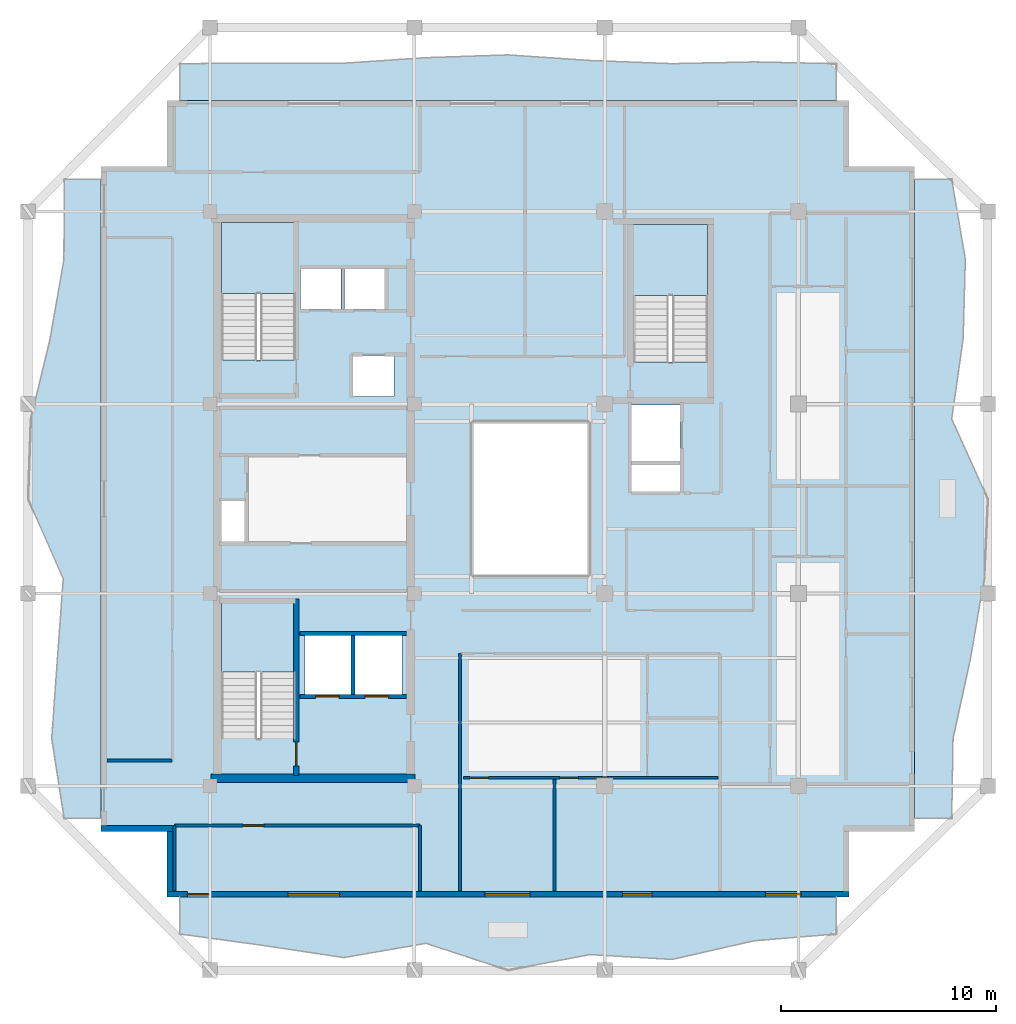
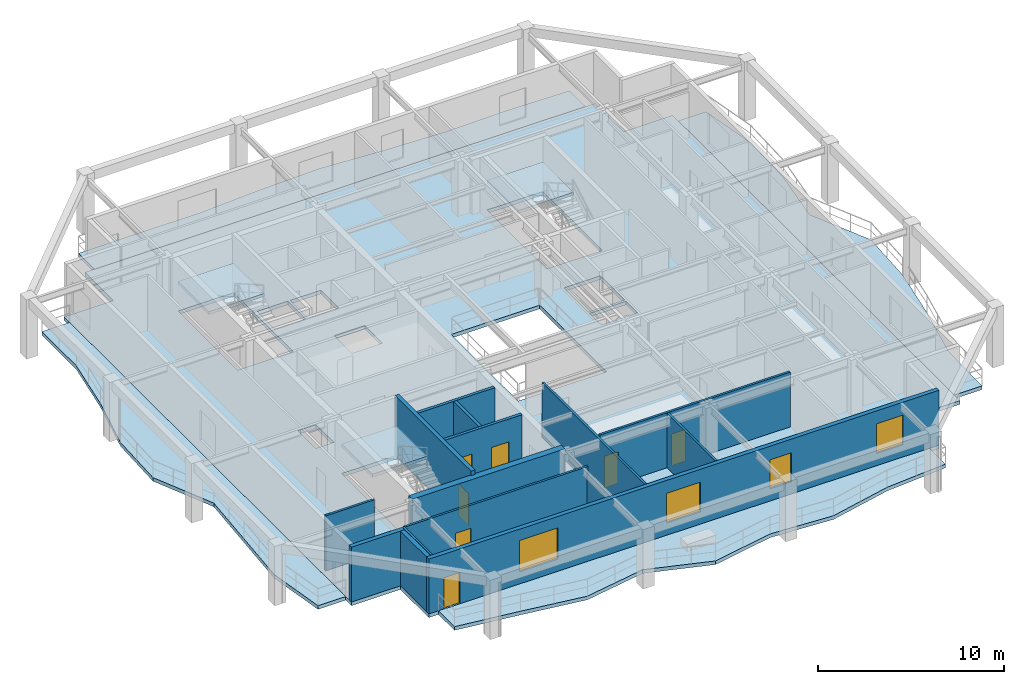
# One storey, part 2 of 10: 15 walls, 8 slabs, 7 doors, 4 windows, 11 openings, 3 elements without a shape of their own.
"""IFC4 building model written with IfcOpenShell, lengths in metres."""

from ifc_helpers import new_model, si_unit, direction, frame, frame_2d, origin, place, context, subcontext, project, spatial, polyline, rectangle, outline, extrude, material, layer, layer_set, type_object, element, fill, aggregate, save


model = new_model("IFC4")

# Units and contexts
model_context = context("Model", 3, precision=1e-05, world=origin(), true_north=direction((0.0, 1.0)))
body_context = subcontext(model_context, "Body", "Model", "MODEL_VIEW")
ifc_project = project(units=[si_unit("LENGTHUNIT", "METRE"), si_unit("AREAUNIT", "SQUARE_METRE"), si_unit("VOLUMEUNIT", "CUBIC_METRE"), si_unit("PLANEANGLEUNIT", "RADIAN"), si_unit("MASSUNIT", "GRAM", prefix="KILO")], contexts=[model_context])

# Site, building, storey
site_placement = place(None, origin())
site = spatial("IfcSite", under=ifc_project, at=site_placement, CompositionType="ELEMENT")
building_placement = place(site_placement, origin())
building = spatial("IfcBuilding", under=site, at=building_placement, Name="Kundavana Baori Tower", CompositionType="ELEMENT")
storey_placement = place(building_placement, frame((0.0, 0.0, 303.800048828125)))
storey = spatial("IfcBuildingStorey", under=building, at=storey_placement, Name="L75", CompositionType="ELEMENT", Elevation=303.800048828125)

# Slab
ifc_material_1 = material(Name="Concrete C40/50", Category="concrete")
ifc_layer_1 = layer(ifc_material_1, 0.239990234375, Name="SLB-FLR-240")
ifc_layer_set_1 = layer_set([ifc_layer_1], Name="Concrete C40/50")
slab_type_1 = type_object("IfcSlabType", Name="SLB-FLR-240", PredefinedType="FLOOR", material=ifc_layer_set_1)
slab_1_placement = place(storey_placement, frame((0.0, 0.0, -0.239990234375)))
element("IfcSlab", 1, at=slab_1_placement, inside=storey, type_object=slab_type_1, Name="L75 Structural Floor Slab", PredefinedType="FLOOR", context=body_context, shape_type="SweptSolid", body=[
    extrude(outline(polyline([(13.449951171875, 10.10009765625), (45.14990234375, 10.10009765625), (45.14990234375, 13.14990234375), (48.199951171875, 13.14990234375), (48.199951171875, 44.050048828125), (45.14990234375, 44.050048828125), (45.14990234375, 47.10009765625), (13.449951171875, 47.10009765625), (13.449951171875, 44.050048828125), (10.39990234375, 44.050048828125), (10.39990234375, 13.14990234375), (13.449951171875, 13.14990234375), (13.449951171875, 10.10009765625)]), holes=[polyline([(19.43994140625, 17.4619140625), (19.43994140625, 23.85009765625), (15.97998046875, 23.85009765625), (15.97998046875, 17.4619140625), (19.43994140625, 17.4619140625)]), polyline([(19.43994140625, 35.06201171875), (19.43994140625, 41.449951171875), (15.97998046875, 41.449951171875), (15.97998046875, 35.06201171875), (19.43994140625, 35.06201171875)]), polyline([(38.580078125, 34.9619140625), (38.580078125, 41.35009765625), (35.1201171875, 41.35009765625), (35.1201171875, 34.9619140625), (38.580078125, 34.9619140625)]), polyline([(19.64990234375, 37.39990234375), (21.550048828125, 37.39990234375), (21.550048828125, 39.300048828125), (19.64990234375, 39.300048828125), (19.64990234375, 37.39990234375)]), polyline([(21.699951171875, 37.39990234375), (23.60009765625, 37.39990234375), (23.60009765625, 39.300048828125), (21.699951171875, 39.300048828125), (21.699951171875, 37.39990234375)]), polyline([(22.10009765625, 33.35009765625), (24.0, 33.35009765625), (24.0, 35.25), (22.10009765625, 35.25), (22.10009765625, 33.35009765625)]), polyline([(19.8798828125, 19.5), (22.02001953125, 19.5), (22.02001953125, 22.25), (19.8798828125, 22.25), (19.8798828125, 19.5)]), polyline([(22.179931640625, 19.5), (24.3798828125, 19.5), (24.3798828125, 22.25), (22.179931640625, 22.25), (22.179931640625, 19.5)]), polyline([(35.050048828125, 30.35009765625), (37.300048828125, 30.35009765625), (37.300048828125, 32.949951171875), (35.050048828125, 32.949951171875), (35.050048828125, 30.35009765625)]), polyline([(15.949951171875, 26.60009765625), (17.080078125, 26.60009765625), (17.080078125, 28.5), (15.949951171875, 28.5), (15.949951171875, 26.60009765625)]), polyline([(35.050048828125, 28.949951171875), (37.300048828125, 28.949951171875), (37.300048828125, 30.199951171875), (35.050048828125, 30.199951171875), (35.050048828125, 28.949951171875)]), polyline([(27.60009765625, 25.0), (33.10009765625, 25.0), (33.10009765625, 32.199951171875), (27.60009765625, 32.199951171875), (27.60009765625, 25.0)])]), origin(), (0.0, 0.0, 1.0), 0.239990234375),
])

# Stair, slab
ifc_material_2 = material(Name="Concrete C40/50", Category="concrete")
stair_type = type_object("IfcStairType", Name="STR-DOG-1650", PredefinedType="HALF_TURN_STAIR", material=ifc_material_2)
stair_1_placement = place(storey_placement, origin())
stair_1 = element("IfcStair", 2, at=stair_1_placement, inside=storey, type_object=stair_type, Name="L75 Protected Exit Stair ST1", PredefinedType="HALF_TURN_STAIR")
ifc_material_3 = material(Name="Concrete C40/50", Category="concrete")
ifc_layer_2 = layer(ifc_material_3, 0.199951171875, Name="SLB-LND-200")
ifc_layer_set_2 = layer_set([ifc_layer_2], Name="Concrete C40/50")
slab_type_2 = type_object("IfcSlabType", Name="SLB-LND-200", PredefinedType="LANDING", material=ifc_layer_set_2)
slab_2_placement = place(storey_placement, frame((0.0, 0.0, 1.75)))
slab_2 = element("IfcSlab", 3, at=slab_2_placement, type_object=slab_type_2, Name="ST1 landing 1", PredefinedType="LANDING", context=body_context, shape_type="SweptSolid", body=[
    extrude(outline(polyline([(19.43994140625, 20.550048828125), (19.43994140625, 23.85009765625), (15.97998046875, 23.85009765625), (15.97998046875, 20.550048828125), (19.43994140625, 20.550048828125)])), origin(), (0.0, 0.0, 1.0), 0.199951171875),
])
aggregate(stair_1, [slab_2])

stair_2_placement = place(storey_placement, origin())
stair_2 = element("IfcStair", 4, at=stair_2_placement, inside=storey, type_object=stair_type, Name="L75 Protected Exit Stair ST2", PredefinedType="HALF_TURN_STAIR")
slab_3_placement = place(storey_placement, frame((0.0, 0.0, 1.75)))
slab_3 = element("IfcSlab", 5, at=slab_3_placement, type_object=slab_type_2, Name="ST2 landing 1", PredefinedType="LANDING", context=body_context, shape_type="SweptSolid", body=[
    extrude(outline(polyline([(19.43994140625, 38.14990234375), (19.43994140625, 41.449951171875), (15.97998046875, 41.449951171875), (15.97998046875, 38.14990234375), (19.43994140625, 38.14990234375)])), origin(), (0.0, 0.0, 1.0), 0.199951171875),
])
aggregate(stair_2, [slab_3])

stair_3_placement = place(storey_placement, origin())
stair_3 = element("IfcStair", 6, at=stair_3_placement, inside=storey, type_object=stair_type, Name="L75 Protected Exit Stair ST3", PredefinedType="HALF_TURN_STAIR")
slab_4_placement = place(storey_placement, frame((0.0, 0.0, 1.75)))
slab_4 = element("IfcSlab", 7, at=slab_4_placement, type_object=slab_type_2, Name="ST3 landing 1", PredefinedType="LANDING", context=body_context, shape_type="SweptSolid", body=[
    extrude(outline(polyline([(38.580078125, 38.050048828125), (38.580078125, 41.35009765625), (35.1201171875, 41.35009765625), (35.1201171875, 38.050048828125), (38.580078125, 38.050048828125)])), origin(), (0.0, 0.0, 1.0), 0.199951171875),
])
aggregate(stair_3, [slab_4])

# Slabs
ifc_material_4 = material(Name="Concrete C40/50", Category="concrete")
ifc_layer_3 = layer(ifc_material_4, 0.239990234375, Name="SLB-LOG-240")
ifc_layer_set_3 = layer_set([ifc_layer_3], Name="Concrete C40/50")
slab_type_3 = type_object("IfcSlabType", Name="SLB-LOG-240", PredefinedType="FLOOR", material=ifc_layer_set_3)
slab_5_placement = place(storey_placement, frame((0.0, 0.0, -0.239990234375)))
element("IfcSlab", 8, at=slab_5_placement, inside=storey, type_object=slab_type_3, Name="L75 Planted Loggia Balcony Slab S", PredefinedType="FLOOR", context=body_context, shape_type="SweptSolid", body=[
    extrude(outline(polyline([(14.050048828125, 10.10009765625), (44.550048828125, 10.10009765625), (44.550048828125, 8.3798828125), (40.737060546875, 8.06298828125), (36.925048828125, 7.197021484375), (33.112060546875, 7.423095703125), (29.300048828125, 6.699951171875), (25.487060546875, 7.945068359375), (21.675048828125, 7.283935546875), (17.863037109375, 7.85791015625), (14.050048828125, 8.3798828125), (14.050048828125, 10.10009765625)])), origin(), (0.0, 0.0, 1.0), 0.239990234375),
])
slab_6_placement = place(storey_placement, frame((0.0, 0.0, -0.239990234375)))
element("IfcSlab", 9, at=slab_6_placement, inside=storey, type_object=slab_type_3, Name="L75 Planted Loggia Balcony Slab E", PredefinedType="FLOOR", context=body_context, shape_type="SweptSolid", body=[
    extrude(outline(polyline([(48.199951171875, 13.75), (48.199951171875, 43.449951171875), (49.919921875, 43.449951171875), (50.552978515625, 39.738037109375), (50.451904296875, 36.02490234375), (49.9208984375, 32.31201171875), (51.60009765625, 28.60009765625), (51.427978515625, 24.887939453125), (50.79296875, 21.175048828125), (49.98291015625, 17.4619140625), (49.919921875, 13.75), (48.199951171875, 13.75)])), origin(), (0.0, 0.0, 1.0), 0.239990234375),
])
slab_7_placement = place(storey_placement, frame((0.0, 0.0, -0.239990234375)))
element("IfcSlab", 10, at=slab_7_placement, inside=storey, type_object=slab_type_3, Name="L75 Planted Loggia Balcony Slab N", PredefinedType="FLOOR", context=body_context, shape_type="SweptSolid", body=[
    extrude(outline(polyline([(44.550048828125, 47.10009765625), (14.050048828125, 47.10009765625), (14.050048828125, 48.820068359375), (17.863037109375, 48.85009765625), (21.675048828125, 48.843017578125), (25.487060546875, 49.09912109375), (29.300048828125, 49.22802734375), (33.112060546875, 48.968994140625), (36.925048828125, 48.821044921875), (40.737060546875, 48.902099609375), (44.550048828125, 48.820068359375), (44.550048828125, 47.10009765625)])), origin(), (0.0, 0.0, 1.0), 0.239990234375),
])
slab_8_placement = place(storey_placement, frame((0.0, 0.0, -0.239990234375)))
element("IfcSlab", 11, at=slab_8_placement, inside=storey, type_object=slab_type_3, Name="L75 Planted Loggia Balcony Slab W", PredefinedType="FLOOR", context=body_context, shape_type="SweptSolid", body=[
    extrude(outline(polyline([(10.39990234375, 43.449951171875), (10.39990234375, 13.75), (8.679931640625, 13.75), (8.10009765625, 17.4619140625), (8.364990234375, 21.175048828125), (8.635986328125, 24.887939453125), (7.0, 28.60009765625), (7.12890625, 32.31201171875), (8.02392578125, 36.02490234375), (8.669921875, 39.738037109375), (8.679931640625, 43.449951171875), (10.39990234375, 43.449951171875)])), origin(), (0.0, 0.0, 1.0), 0.239990234375),
])

# Wall
ifc_material_5 = material(Name="Concrete C50/60", Category="concrete")
ifc_layer_4 = layer(ifc_material_5, 0.39990234375, Name="WL-CORE-400")
ifc_layer_set_4 = layer_set([ifc_layer_4], Name="Concrete C50/60")
wall_type_1 = type_object("IfcWallType", Name="WL-CORE-400", PredefinedType="SHEAR", material=ifc_layer_set_4)
wall_1_placement = place(storey_placement, frame((15.5, 15.610107421875, 0.0), z_axis=(0.0, 0.0, 1.0), x_axis=(1.0, 0.0, 0.0)))
element("IfcWall", 12, at=wall_1_placement, inside=storey, type_object=wall_type_1, Name="L75 Offset Core South Shear Wall", PredefinedType="SHEAR", context=body_context, shape_type="SweptSolid", body=[
    extrude(rectangle(XDim=9.47998046875, YDim=0.39990234375, at=frame_2d((4.739990234375, 0.0))), origin(), (0.0, 0.0, 1.0), 3.599853515625),
])

# Wall, opening, door
wall_2_placement = place(storey_placement, frame((19.4599609375, 15.739990234375, 0.0), z_axis=(0.0, 0.0, 1.0), x_axis=(0.0, 1.0, 0.0)))
wall_2 = element("IfcWall", 13, at=wall_2_placement, inside=storey, type_object=wall_type_1, Name="WL-L75-ST1-E", PredefinedType="SHEAR", context=body_context, shape_type="SweptSolid", body=[
    extrude(rectangle(XDim=8.199951171875, YDim=0.239990234375, at=frame_2d((4.10009765625, 0.0))), origin(), (0.0, 0.0, 1.0), 3.89990234375),
])
opening_1_placement = place(wall_2_placement, frame((0.449951171875, 0.0, 0.0)))
opening_1 = element("IfcOpeningElement", 14, at=opening_1_placement, cuts=wall_2, Name="Opening FD-110", PredefinedType="OPENING", context=body_context, shape_type="SweptSolid", body=[
    extrude(rectangle(XDim=1.10009765625, YDim=2.10009765625, at=frame_2d((0.550048828125, 1.050048828125))), frame((0.0, 0.1298828125, 0.0), z_axis=(0.0, -1.0, 0.0), x_axis=(1.0, 0.0, 0.0)), (0.0, 0.0, 1.0), 0.260009765625),
])
ifc_material_6 = material(Name="Galvanised Steel Fire-Rated Door Leaf", Category="steel")
door_type_1 = type_object("IfcDoorType", Name="DR-FD120-1100", OperationType="NOTDEFINED", PredefinedType="DOOR", material=ifc_material_6)
door_1_placement = place(opening_1_placement, origin())
door_1 = element("IfcDoor", 15, at=door_1_placement, inside=storey, type_object=door_type_1, Name="DR-L75-ST1", OperationType="SINGLE_SWING_LEFT", OverallHeight=2.10009765625, OverallWidth=1.10009765625, PredefinedType="DOOR", context=body_context, shape_type="SweptSolid", body=[
    extrude(rectangle(XDim=1.10009765625, YDim=2.10009765625, at=frame_2d((0.550048828125, 1.050048828125))), frame((0.0, 0.02490234375, 0.0), z_axis=(0.0, -1.0, 0.0), x_axis=(1.0, 0.0, 0.0)), (0.0, 0.0, 1.0), 0.050048828125),
])
fill(opening_1, door_1)

# Wall, openings, door, windows
ifc_material_7 = material(Name="Kiln-Fired Terracotta Brick-Slip Masonry on Concrete C40/50", Category="masonry")
ifc_layer_5 = layer(ifc_material_7, 0.260009765625, Name="WL-EXT-BRK-260")
ifc_layer_set_5 = layer_set([ifc_layer_5], Name="Kiln-Fired Terracotta Brick-Slip Masonry on Concrete C40/50")
wall_type_2 = type_object("IfcWallType", Name="WL-EXT-BRK-260", PredefinedType="SOLIDWALL", material=ifc_layer_set_5)
wall_3_placement = place(storey_placement, frame((13.449951171875, 10.22998046875, 0.0), z_axis=(0.0, 0.0, 1.0), x_axis=(1.0, 0.0, 0.0)))
wall_3 = element("IfcWall", 16, at=wall_3_placement, inside=storey, type_object=wall_type_2, Name="L75 Exterior Insulated Facade Wall 01", PredefinedType="SOLIDWALL", context=body_context, shape_type="SweptSolid", body=[
    extrude(rectangle(XDim=31.699951171875, YDim=0.260009765625, at=frame_2d((15.85009765625, 0.0))), origin(), (0.0, 0.0, 1.0), 3.599853515625),
])
opening_2_placement = place(wall_3_placement, frame((0.949951171875, 0.0, 0.0)))
opening_2 = element("IfcOpeningElement", 17, at=opening_2_placement, cuts=wall_3, Name="Opening BD-1", PredefinedType="OPENING", context=body_context, shape_type="SweptSolid", body=[
    extrude(rectangle(XDim=1.0, YDim=2.050048828125, at=frame_2d((0.5, 1.02490234375))), frame((0.0, 0.14013671875, 0.0), z_axis=(0.0, -1.0, 0.0), x_axis=(1.0, 0.0, 0.0)), (0.0, 0.0, 1.0), 0.280029296875),
])
opening_3_placement = place(wall_3_placement, frame((5.635009765625, 0.0, 0.800048828125)))
opening_3 = element("IfcOpeningElement", 18, at=opening_3_placement, cuts=wall_3, Name="Opening W-04", PredefinedType="OPENING", context=body_context, shape_type="SweptSolid", body=[
    extrude(rectangle(XDim=2.39990234375, YDim=2.050048828125, at=frame_2d((1.199951171875, 1.02490234375))), frame((0.0, 0.14013671875, 0.0), z_axis=(0.0, -1.0, 0.0), x_axis=(1.0, 0.0, 0.0)), (0.0, 0.0, 1.0), 0.280029296875),
])
opening_4_placement = place(wall_3_placement, frame((14.77294921875, 0.0, 0.800048828125)))
opening_4 = element("IfcOpeningElement", 19, at=opening_4_placement, cuts=wall_3, Name="Opening W-05", PredefinedType="OPENING", context=body_context, shape_type="SweptSolid", body=[
    extrude(rectangle(XDim=2.10009765625, YDim=1.949951171875, at=frame_2d((1.050048828125, 0.97509765625))), frame((0.0, 0.14013671875, 0.0), z_axis=(0.0, -1.0, 0.0), x_axis=(1.0, 0.0, 0.0)), (0.0, 0.0, 1.0), 0.280029296875),
])
opening_5_placement = place(wall_3_placement, frame((21.18310546875, 0.0, 0.800048828125)))
opening_5 = element("IfcOpeningElement", 20, at=opening_5_placement, cuts=wall_3, Name="Opening W-07", PredefinedType="OPENING", context=body_context, shape_type="SweptSolid", body=[
    extrude(rectangle(XDim=1.35009765625, YDim=1.89990234375, at=frame_2d((0.675048828125, 0.949951171875))), frame((0.0, 0.14013671875, 0.0), z_axis=(0.0, -1.0, 0.0), x_axis=(1.0, 0.0, 0.0)), (0.0, 0.0, 1.0), 0.280029296875),
])
opening_6_placement = place(wall_3_placement, frame((27.820068359375, 0.0, 0.800048828125)))
opening_6 = element("IfcOpeningElement", 21, at=opening_6_placement, cuts=wall_3, Name="Opening W-08", PredefinedType="OPENING", context=body_context, shape_type="SweptSolid", body=[
    extrude(rectangle(XDim=1.64990234375, YDim=1.949951171875, at=frame_2d((0.824951171875, 0.97509765625))), frame((0.0, 0.14013671875, 0.0), z_axis=(0.0, -1.0, 0.0), x_axis=(1.0, 0.0, 0.0)), (0.0, 0.0, 1.0), 0.280029296875),
])
ifc_material_8 = material(Name="Architectural Patinated Bronze Metalwork")
door_type_2 = type_object("IfcDoorType", Name="DR-EXT-LOG-1000", OperationType="NOTDEFINED", PredefinedType="DOOR", material=ifc_material_8)
door_2_placement = place(opening_2_placement, frame((1.0, 0.0, 0.0), z_axis=(0.0, 0.0, 1.0), x_axis=(-1.0, 0.0, 0.0)))
door_2 = element("IfcDoor", 22, at=door_2_placement, inside=storey, type_object=door_type_2, Name="L75 Loggia Balcony Access Door S", OperationType="SINGLE_SWING_LEFT", OverallHeight=2.050048828125, OverallWidth=1.0, PredefinedType="DOOR", context=body_context, shape_type="SweptSolid", body=[
    extrude(rectangle(XDim=1.0, YDim=2.050048828125, at=frame_2d((0.5, 1.02490234375))), frame((0.0, 0.02490234375, 0.0), z_axis=(0.0, -1.0, 0.0), x_axis=(1.0, 0.0, 0.0)), (0.0, 0.0, 1.0), 0.050048828125),
])
fill(opening_2, door_2)
ifc_material_9 = material(Name="Double-Glazed Solar-Control Low-E Insulated Glass", Category="glass")
window_type_1 = type_object("IfcWindowType", Name="WIN-LOG-1350x1900", PartitioningType="SINGLE_PANEL", PredefinedType="WINDOW", material=ifc_material_9)
window_1_placement = place(opening_5_placement, origin())
window_1 = element("IfcWindow", 23, at=window_1_placement, inside=storey, type_object=window_type_1, Name="L75 Recessed Loggia Window S-3", OverallHeight=1.89990234375, OverallWidth=1.35009765625, PartitioningType="SINGLE_PANEL", PredefinedType="WINDOW", context=body_context, shape_type="SweptSolid", body=[
    extrude(rectangle(XDim=1.35009765625, YDim=1.89990234375, at=frame_2d((0.675048828125, 0.949951171875))), frame((0.0, 0.030029296875, 0.0), z_axis=(0.0, -1.0, 0.0), x_axis=(1.0, 0.0, 0.0)), (0.0, 0.0, 1.0), 0.06005859375),
])
fill(opening_5, window_1)
ifc_material_10 = material(Name="Double-Glazed Solar-Control Low-E Insulated Glass", Category="glass")
window_type_2 = type_object("IfcWindowType", Name="WIN-LOG-1650x1950", PartitioningType="SINGLE_PANEL", PredefinedType="WINDOW", material=ifc_material_10)
window_2_placement = place(opening_6_placement, origin())
window_2 = element("IfcWindow", 24, at=window_2_placement, inside=storey, type_object=window_type_2, Name="L75 Recessed Loggia Window S-4", OverallHeight=1.949951171875, OverallWidth=1.64990234375, PartitioningType="SINGLE_PANEL", PredefinedType="WINDOW", context=body_context, shape_type="SweptSolid", body=[
    extrude(rectangle(XDim=1.64990234375, YDim=1.949951171875, at=frame_2d((0.824951171875, 0.97509765625))), frame((0.0, 0.030029296875, 0.0), z_axis=(0.0, -1.0, 0.0), x_axis=(1.0, 0.0, 0.0)), (0.0, 0.0, 1.0), 0.06005859375),
])
fill(opening_6, window_2)
ifc_material_11 = material(Name="Double-Glazed Solar-Control Low-E Insulated Glass", Category="glass")
window_type_3 = type_object("IfcWindowType", Name="WIN-LOG-2100x1950", PartitioningType="SINGLE_PANEL", PredefinedType="WINDOW", material=ifc_material_11)
window_3_placement = place(opening_4_placement, origin())
window_3 = element("IfcWindow", 25, at=window_3_placement, inside=storey, type_object=window_type_3, Name="L75 Recessed Loggia Window S-2", OverallHeight=1.949951171875, OverallWidth=2.10009765625, PartitioningType="SINGLE_PANEL", PredefinedType="WINDOW", context=body_context, shape_type="SweptSolid", body=[
    extrude(rectangle(XDim=2.10009765625, YDim=1.949951171875, at=frame_2d((1.050048828125, 0.97509765625))), frame((0.0, 0.030029296875, 0.0), z_axis=(0.0, -1.0, 0.0), x_axis=(1.0, 0.0, 0.0)), (0.0, 0.0, 1.0), 0.06005859375),
])
fill(opening_4, window_3)
ifc_material_12 = material(Name="Double-Glazed Solar-Control Low-E Insulated Glass", Category="glass")
window_type_4 = type_object("IfcWindowType", Name="WIN-LOG-2400x2050", PartitioningType="SINGLE_PANEL", PredefinedType="WINDOW", material=ifc_material_12)
window_4_placement = place(opening_3_placement, origin())
window_4 = element("IfcWindow", 26, at=window_4_placement, inside=storey, type_object=window_type_4, Name="L75 Recessed Loggia Window S-1", OverallHeight=2.050048828125, OverallWidth=2.39990234375, PartitioningType="SINGLE_PANEL", PredefinedType="WINDOW", context=body_context, shape_type="SweptSolid", body=[
    extrude(rectangle(XDim=2.39990234375, YDim=2.050048828125, at=frame_2d((1.199951171875, 1.02490234375))), frame((0.0, 0.030029296875, 0.0), z_axis=(0.0, -1.0, 0.0), x_axis=(1.0, 0.0, 0.0)), (0.0, 0.0, 1.0), 0.06005859375),
])
fill(opening_3, window_4)

# Walls
wall_4_placement = place(storey_placement, frame((10.39990234375, 13.280029296875, 0.0), z_axis=(0.0, 0.0, 1.0), x_axis=(1.0, 0.0, 0.0)))
element("IfcWall", 27, at=wall_4_placement, inside=storey, type_object=wall_type_2, Name="L75 Exterior Insulated Facade Wall 11", PredefinedType="SOLIDWALL", context=body_context, shape_type="SweptSolid", body=[
    extrude(rectangle(XDim=3.31005859375, YDim=0.260009765625, at=frame_2d((1.655029296875, 0.0))), origin(), (0.0, 0.0, 1.0), 3.599853515625),
])
wall_5_placement = place(storey_placement, frame((13.580078125, 13.14990234375, 0.0), z_axis=(0.0, 0.0, 1.0), x_axis=(0.0, -1.0, 0.0)))
element("IfcWall", 28, at=wall_5_placement, inside=storey, type_object=wall_type_2, Name="L75 Exterior Insulated Facade Wall 12", PredefinedType="SOLIDWALL", context=body_context, shape_type="SweptSolid", body=[
    extrude(rectangle(XDim=2.789794921875, YDim=0.260009765625, at=frame_2d((1.39501953125, 0.0))), origin(), (0.0, 0.0, 1.0), 3.599853515625),
])
ifc_material_13 = material(Name="Acoustic Gypsum Plasterboard on Galvanised Steel Studs", Category="steel")
ifc_layer_6 = layer(ifc_material_13, 0.135009765625, Name="WL-PART-135")
ifc_layer_set_6 = layer_set([ifc_layer_6], Name="Acoustic Gypsum Plasterboard on Galvanised Steel Studs")
wall_type_3 = type_object("IfcWallType", Name="WL-PART-135", PredefinedType="PARTITIONING", material=ifc_layer_set_6)
wall_6_placement = place(storey_placement, frame((27.080078125, 10.3798828125, 0.0), z_axis=(0.0, 0.0, 1.0), x_axis=(0.0, 1.0, 0.0)))
element("IfcWall", 29, at=wall_6_placement, inside=storey, type_object=wall_type_3, Name="WL-L75-RSW", PredefinedType="PARTITIONING", context=body_context, shape_type="SweptSolid", body=[
    extrude(rectangle(XDim=11.0400390625, YDim=0.135009765625, at=frame_2d((5.52001953125, 0.0))), origin(), (0.0, 0.0, 1.0), 3.599853515625),
])

# Wall, opening, door
wall_7_placement = place(storey_placement, frame((13.800048828125, 13.419921875, 0.0), z_axis=(0.0, 0.0, 1.0), x_axis=(1.0, 0.0, 0.0)))
wall_7 = element("IfcWall", 30, at=wall_7_placement, inside=storey, type_object=wall_type_3, Name="WL-L75-RSC", PredefinedType="PARTITIONING", context=body_context, shape_type="SweptSolid", body=[
    extrude(rectangle(XDim=11.419921875, YDim=0.135009765625, at=frame_2d((5.7099609375, 0.0))), origin(), (0.0, 0.0, 1.0), 3.599853515625),
])
opening_7_placement = place(wall_7_placement, frame((3.199951171875, 0.0, 0.0)))
opening_7 = element("IfcOpeningElement", 31, at=opening_7_placement, cuts=wall_7, Name="Opening ID-095", PredefinedType="OPENING", context=body_context, shape_type="SweptSolid", body=[
    extrude(rectangle(XDim=0.949951171875, YDim=2.080078125, at=frame_2d((0.47509765625, 1.0400390625))), frame((0.0, 0.07763671875, 0.0), z_axis=(0.0, -1.0, 0.0), x_axis=(1.0, 0.0, 0.0)), (0.0, 0.0, 1.0), 0.155029296875),
])
ifc_material_14 = material(Name="Engineered Teak Solid-Core Timber Veneer", Category="wood")
door_type_3 = type_object("IfcDoorType", Name="DR-INT-950", OperationType="NOTDEFINED", PredefinedType="DOOR", material=ifc_material_14)
door_3_placement = place(opening_7_placement, frame((0.949951171875, 0.0, 0.0), z_axis=(0.0, 0.0, 1.0), x_axis=(-1.0, 0.0, 0.0)))
door_3 = element("IfcDoor", 32, at=door_3_placement, inside=storey, type_object=door_type_3, Name="DR-L75-RMSW", OperationType="SINGLE_SWING_LEFT", OverallHeight=2.080078125, OverallWidth=0.949951171875, PredefinedType="DOOR", context=body_context, shape_type="SweptSolid", body=[
    extrude(rectangle(XDim=0.949951171875, YDim=2.080078125, at=frame_2d((0.47509765625, 1.0400390625))), frame((0.0, 0.02490234375, 0.0), z_axis=(0.0, -1.0, 0.0), x_axis=(1.0, 0.0, 0.0)), (0.0, 0.0, 1.0), 0.050048828125),
])
fill(opening_7, door_3)

# Walls
wall_8_placement = place(storey_placement, frame((13.800048828125, 10.3798828125, 0.0), z_axis=(0.0, 0.0, 1.0), x_axis=(0.0, 1.0, 0.0)))
element("IfcWall", 33, at=wall_8_placement, inside=storey, type_object=wall_type_3, Name="WL-L75-RSCW", PredefinedType="PARTITIONING", context=body_context, shape_type="SweptSolid", body=[
    extrude(rectangle(XDim=3.0400390625, YDim=0.135009765625, at=frame_2d((1.52001953125, 0.0))), origin(), (0.0, 0.0, 1.0), 3.599853515625),
])
wall_9_placement = place(storey_placement, frame((25.219970703125, 10.3798828125, 0.0), z_axis=(0.0, 0.0, 1.0), x_axis=(0.0, 1.0, 0.0)))
element("IfcWall", 34, at=wall_9_placement, inside=storey, type_object=wall_type_3, Name="WL-L75-RSCE", PredefinedType="PARTITIONING", context=body_context, shape_type="SweptSolid", body=[
    extrude(rectangle(XDim=3.0400390625, YDim=0.135009765625, at=frame_2d((1.52001953125, 0.0))), origin(), (0.0, 0.0, 1.0), 3.14990234375),
])
wall_10_placement = place(storey_placement, frame((10.679931640625, 16.449951171875, 0.0), z_axis=(0.0, 0.0, 1.0), x_axis=(1.0, 0.0, 0.0)))
element("IfcWall", 35, at=wall_10_placement, inside=storey, type_object=wall_type_3, Name="WL-L75-RWS", PredefinedType="PARTITIONING", context=body_context, shape_type="SweptSolid", body=[
    extrude(rectangle(XDim=3.02001953125, YDim=0.135009765625, at=frame_2d((1.510009765625, 0.0))), origin(), (0.0, 0.0, 1.0), 3.599853515625),
])

# Wall, openings, doors
wall_11_placement = place(storey_placement, frame((27.239990234375, 15.64111328125, 0.0), z_axis=(0.0, 0.0, 1.0), x_axis=(1.0, 0.0, 0.0)))
wall_11 = element("IfcWall", 36, at=wall_11_placement, inside=storey, type_object=wall_type_3, Name="WL-L75-S1-HZ", PredefinedType="PARTITIONING", context=body_context, shape_type="SweptSolid", body=[
    extrude(rectangle(XDim=11.830078125, YDim=0.135009765625, at=frame_2d((5.9150390625, 0.0))), origin(), (0.0, 0.0, 1.0), 3.599853515625),
])
opening_8_placement = place(wall_11_placement, frame((0.300048828125, 0.0, 0.0)))
opening_8 = element("IfcOpeningElement", 37, at=opening_8_placement, cuts=wall_11, Name="Opening ID-085", PredefinedType="OPENING", context=body_context, shape_type="SweptSolid", body=[
    extrude(rectangle(XDim=0.85009765625, YDim=2.080078125, at=frame_2d((0.425048828125, 1.0400390625))), frame((0.0, 0.07763671875, 0.0), z_axis=(0.0, -1.0, 0.0), x_axis=(1.0, 0.0, 0.0)), (0.0, 0.0, 1.0), 0.155029296875),
])
opening_9_placement = place(wall_11_placement, frame((4.47509765625, 0.0, 0.0)))
opening_9 = element("IfcOpeningElement", 38, at=opening_9_placement, cuts=wall_11, Name="Opening ID-085", PredefinedType="OPENING", context=body_context, shape_type="SweptSolid", body=[
    extrude(rectangle(XDim=0.85009765625, YDim=2.080078125, at=frame_2d((0.425048828125, 1.0400390625))), frame((0.0, 0.07763671875, 0.0), z_axis=(0.0, -1.0, 0.0), x_axis=(1.0, 0.0, 0.0)), (0.0, 0.0, 1.0), 0.155029296875),
])
ifc_material_15 = material(Name="Engineered Teak Solid-Core Timber Veneer", Category="wood")
door_type_4 = type_object("IfcDoorType", Name="DR-INT-850", OperationType="NOTDEFINED", PredefinedType="DOOR", material=ifc_material_15)
door_4_placement = place(opening_8_placement, frame((0.85009765625, 0.0, 0.0), z_axis=(0.0, 0.0, 1.0), x_axis=(-1.0, 0.0, 0.0)))
door_4 = element("IfcDoor", 39, at=door_4_placement, inside=storey, type_object=door_type_4, Name="DR-L75-S1-B1", OperationType="SINGLE_SWING_LEFT", OverallHeight=2.080078125, OverallWidth=0.85009765625, PredefinedType="DOOR", context=body_context, shape_type="SweptSolid", body=[
    extrude(rectangle(XDim=0.85009765625, YDim=2.080078125, at=frame_2d((0.425048828125, 1.0400390625))), frame((0.0, 0.02490234375, 0.0), z_axis=(0.0, -1.0, 0.0), x_axis=(1.0, 0.0, 0.0)), (0.0, 0.0, 1.0), 0.050048828125),
])
fill(opening_8, door_4)
door_5_placement = place(opening_9_placement, frame((0.85009765625, 0.0, 0.0), z_axis=(0.0, 0.0, 1.0), x_axis=(-1.0, 0.0, 0.0)))
door_5 = element("IfcDoor", 40, at=door_5_placement, inside=storey, type_object=door_type_4, Name="DR-L75-S1-B2", OperationType="SINGLE_SWING_RIGHT", OverallHeight=2.080078125, OverallWidth=0.85009765625, PredefinedType="DOOR", context=body_context, shape_type="SweptSolid", body=[
    extrude(rectangle(XDim=0.85009765625, YDim=2.080078125, at=frame_2d((0.425048828125, 1.0400390625))), frame((0.0, 0.02490234375, 0.0), z_axis=(0.0, -1.0, 0.0), x_axis=(1.0, 0.0, 0.0)), (0.0, 0.0, 1.0), 0.050048828125),
])
fill(opening_9, door_5)

# Wall
wall_12_placement = place(storey_placement, frame((31.465087890625, 10.3798828125, 0.0), z_axis=(0.0, 0.0, 1.0), x_axis=(0.0, 1.0, 0.0)))
element("IfcWall", 41, at=wall_12_placement, inside=storey, type_object=wall_type_3, Name="WL-L75-S1-BDV", PredefinedType="PARTITIONING", context=body_context, shape_type="SweptSolid", body=[
    extrude(rectangle(XDim=5.18115234375, YDim=0.135009765625, at=frame_2d((2.590576171875, 0.0))), origin(), (0.0, 0.0, 1.0), 3.599853515625),
])

# Wall, openings, doors
ifc_material_16 = material(Name="Autoclaved Aerated Concrete Blockwork Masonry", Category="masonry")
ifc_layer_7 = layer(ifc_material_16, 0.179931640625, Name="WL-SHAFT-180")
ifc_layer_set_7 = layer_set([ifc_layer_7], Name="Autoclaved Aerated Concrete Blockwork Masonry")
wall_type_4 = type_object("IfcWallType", Name="WL-SHAFT-180", PredefinedType="SOLIDWALL", material=ifc_layer_set_7)
wall_13_placement = place(storey_placement, frame((19.639892578125, 19.419921875, 0.0), z_axis=(0.0, 0.0, 1.0), x_axis=(1.0, 0.0, 0.0)))
wall_13 = element("IfcWall", 42, at=wall_13_placement, inside=storey, type_object=wall_type_4, Name="WL-L75-FFL-S", PredefinedType="SOLIDWALL", context=body_context, shape_type="SweptSolid", body=[
    extrude(rectangle(XDim=4.940185546875, YDim=0.179931640625, at=frame_2d((2.47021484375, 0.0))), origin(), (0.0, 0.0, 1.0), 3.599853515625),
])
opening_10_placement = place(wall_13_placement, frame((0.719970703125, 0.0, 0.0)))
opening_10 = element("IfcOpeningElement", 43, at=opening_10_placement, cuts=wall_13, Name="Opening LD-110", PredefinedType="OPENING", context=body_context, shape_type="SweptSolid", body=[
    extrude(rectangle(XDim=1.10009765625, YDim=2.10009765625, at=frame_2d((0.550048828125, 1.050048828125))), frame((0.0, 0.10009765625, 0.0), z_axis=(0.0, -1.0, 0.0), x_axis=(1.0, 0.0, 0.0)), (0.0, 0.0, 1.0), 0.199951171875),
])
opening_11_placement = place(wall_13_placement, frame((3.02001953125, 0.0, 0.0)))
opening_11 = element("IfcOpeningElement", 44, at=opening_11_placement, cuts=wall_13, Name="Opening LD-110", PredefinedType="OPENING", context=body_context, shape_type="SweptSolid", body=[
    extrude(rectangle(XDim=1.10009765625, YDim=2.10009765625, at=frame_2d((0.550048828125, 1.050048828125))), frame((0.0, 0.10009765625, 0.0), z_axis=(0.0, -1.0, 0.0), x_axis=(1.0, 0.0, 0.0)), (0.0, 0.0, 1.0), 0.199951171875),
])
ifc_material_17 = material(Name="Galvanised Steel Fire-Rated Door Leaf", Category="steel")
door_type_5 = type_object("IfcDoorType", Name="DR-SLIDE-LD1100", OperationType="NOTDEFINED", PredefinedType="DOOR", material=ifc_material_17)
door_6_placement = place(opening_10_placement, origin())
door_6 = element("IfcDoor", 45, at=door_6_placement, inside=storey, type_object=door_type_5, Name="DR-L75-LD-FFL-1", OperationType="DOUBLE_DOOR_SLIDING", OverallHeight=2.10009765625, OverallWidth=1.10009765625, PredefinedType="DOOR", context=body_context, shape_type="SweptSolid", body=[
    extrude(rectangle(XDim=1.10009765625, YDim=2.10009765625, at=frame_2d((0.550048828125, 1.050048828125))), frame((0.0, 0.02490234375, 0.0), z_axis=(0.0, -1.0, 0.0), x_axis=(1.0, 0.0, 0.0)), (0.0, 0.0, 1.0), 0.050048828125),
])
fill(opening_10, door_6)
door_7_placement = place(opening_11_placement, origin())
door_7 = element("IfcDoor", 46, at=door_7_placement, inside=storey, type_object=door_type_5, Name="DR-L75-LD-FFL-2", OperationType="DOUBLE_DOOR_SLIDING", OverallHeight=2.10009765625, OverallWidth=1.10009765625, PredefinedType="DOOR", context=body_context, shape_type="SweptSolid", body=[
    extrude(rectangle(XDim=1.10009765625, YDim=2.10009765625, at=frame_2d((0.550048828125, 1.050048828125))), frame((0.0, 0.02490234375, 0.0), z_axis=(0.0, -1.0, 0.0), x_axis=(1.0, 0.0, 0.0)), (0.0, 0.0, 1.0), 0.050048828125),
])
fill(opening_11, door_7)

# Walls
wall_14_placement = place(storey_placement, frame((22.10009765625, 19.510009765625, 0.0), z_axis=(0.0, 0.0, 1.0), x_axis=(0.0, 1.0, 0.0)))
element("IfcWall", 47, at=wall_14_placement, inside=storey, type_object=wall_type_4, Name="WL-L75-FFL-MID", PredefinedType="SOLIDWALL", context=body_context, shape_type="SweptSolid", body=[
    extrude(rectangle(XDim=2.739990234375, YDim=0.179931640625, at=frame_2d((1.3701171875, 0.0))), origin(), (0.0, 0.0, 1.0), 3.599853515625),
])
wall_15_placement = place(storey_placement, frame((19.639892578125, 22.340087890625, 0.0), z_axis=(0.0, 0.0, 1.0), x_axis=(1.0, 0.0, 0.0)))
element("IfcWall", 48, at=wall_15_placement, inside=storey, type_object=wall_type_4, Name="WL-L75-FFL-N", PredefinedType="SOLIDWALL", context=body_context, shape_type="SweptSolid", body=[
    extrude(rectangle(XDim=4.940185546875, YDim=0.179931640625, at=frame_2d((2.47021484375, 0.0))), origin(), (0.0, 0.0, 1.0), 3.599853515625),
])

save(model, "model.ifc")
